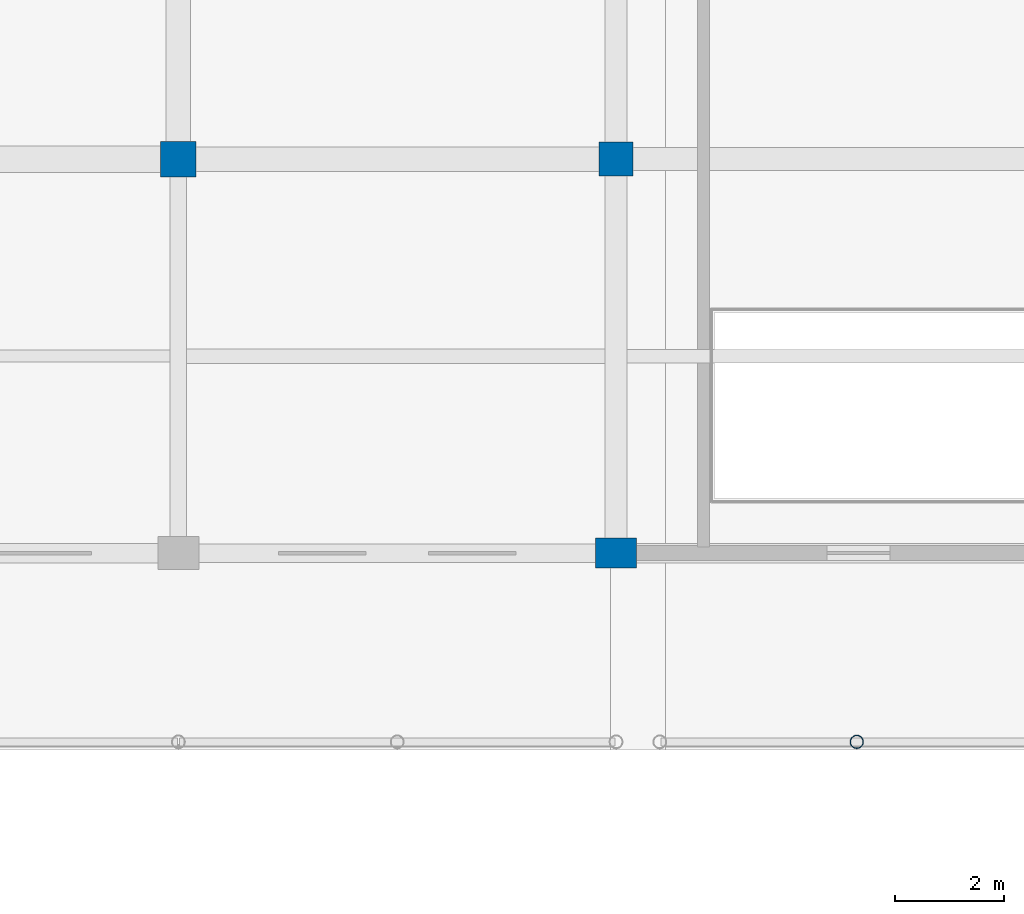
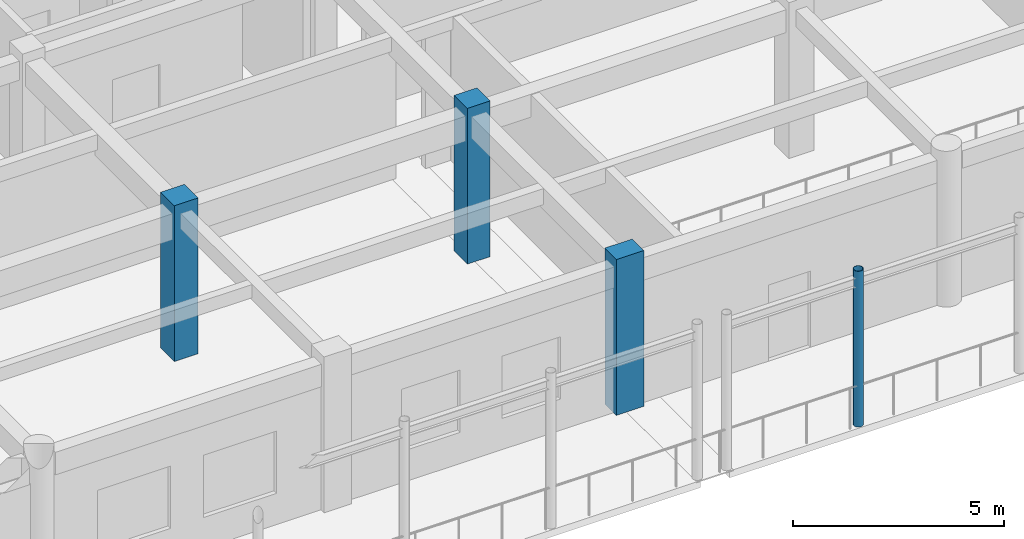
# One storey, part 25 of 160: 4 columns.
"""IFC4 building model written with IfcOpenShell, lengths in metres."""

from ifc_helpers import new_model, si_unit, direction, frame, origin, origin_2d, place, context, subcontext, project, spatial, rectangle, hollow_circle, extrude, material, material_profile, profile_set, type_object, element, save


model = new_model("IFC4")

# Units and contexts
model_context = context("Model", 3, precision=1e-05, world=origin(), true_north=direction((0.0, 1.0)))
body_context = subcontext(model_context, "Body", "Model", "MODEL_VIEW")
ifc_project = project(units=[si_unit("LENGTHUNIT", "METRE"), si_unit("AREAUNIT", "SQUARE_METRE"), si_unit("VOLUMEUNIT", "CUBIC_METRE"), si_unit("PLANEANGLEUNIT", "RADIAN"), si_unit("MASSUNIT", "GRAM", prefix="KILO")], contexts=[model_context])

# Site, building, storey
site_placement = place(None, origin())
site = spatial("IfcSite", under=ifc_project, at=site_placement, CompositionType="ELEMENT")
building_placement = place(site_placement, origin())
building = spatial("IfcBuilding", under=site, at=building_placement, Name="Kharva Crest Polytechnic", CompositionType="ELEMENT")
storey_placement = place(building_placement, frame((0.0, 0.0, 4.5)))
storey = spatial("IfcBuildingStorey", under=building, at=storey_placement, Name="L01", CompositionType="ELEMENT", Elevation=4.5)

# Columns
ifc_material_1 = material(Name="Concrete C40/50", Category="concrete")
ifc_material_profile_1 = material_profile(ifc_material_1, rectangle(XDim=0.75, YDim=0.550048828125, at=origin_2d()), Name="RECT 750 X 550")
ifc_profile_set_1 = profile_set([ifc_material_profile_1], Name="Concrete C40/50")
column_type_1 = type_object("IfcColumnType", Name="COL-EXT-750X550", PredefinedType="COLUMN", material=ifc_profile_set_1)
column_1_placement = place(storey_placement, frame((120.0, 100.39990234375, 0.0), z_axis=(0.0, 0.0, 1.0), x_axis=(1.0, 0.0, 0.0)))
element("IfcColumn", 1, at=column_1_placement, inside=storey, type_object=column_type_1, Name="L01 Column 16/P", PredefinedType="COLUMN", context=body_context, shape_type="SweptSolid", body=[
    extrude(rectangle(XDim=0.75, YDim=0.550048828125, at=origin_2d()), origin(), (0.0, 0.0, 1.0), 4.5),
])
ifc_material_profile_2 = material_profile(ifc_material_1, rectangle(XDim=0.6201171875, YDim=0.6201171875, at=origin_2d()), Name="RECT 620 X 620")
ifc_profile_set_2 = profile_set([ifc_material_profile_2], Name="Concrete C40/50")
column_type_2 = type_object("IfcColumnType", Name="COL-INT-620X620", PredefinedType="COLUMN", material=ifc_profile_set_2)
column_2_placement = place(storey_placement, frame((120.0, 107.60009765625, 0.0), z_axis=(0.0, 0.0, 1.0), x_axis=(1.0, 0.0, 0.0)))
element("IfcColumn", 2, at=column_2_placement, inside=storey, type_object=column_type_2, Name="L01 Column 16/Q", PredefinedType="COLUMN", context=body_context, shape_type="SweptSolid", body=[
    extrude(rectangle(XDim=0.6201171875, YDim=0.6201171875, at=origin_2d()), origin(), (0.0, 0.0, 1.0), 4.5),
])
ifc_material_profile_3 = material_profile(ifc_material_1, rectangle(XDim=0.64990234375, YDim=0.64990234375, at=origin_2d()), Name="RECT 650 X 650")
ifc_profile_set_3 = profile_set([ifc_material_profile_3], Name="Concrete C40/50")
column_type_3 = type_object("IfcColumnType", Name="COL-INT-650X650", PredefinedType="COLUMN", material=ifc_profile_set_3)
column_3_placement = place(storey_placement, frame((112.0, 107.60009765625, 0.0), z_axis=(0.0, 0.0, 1.0), x_axis=(1.0, 0.0, 0.0)))
element("IfcColumn", 3, at=column_3_placement, inside=storey, type_object=column_type_3, Name="L01 Column 15/Q", PredefinedType="COLUMN", context=body_context, shape_type="SweptSolid", body=[
    extrude(rectangle(XDim=0.64990234375, YDim=0.64990234375, at=origin_2d()), origin(), (0.0, 0.0, 1.0), 4.5),
])
ifc_material_2 = material(Name="Steel S355", Category="steel")
ifc_material_profile_4 = material_profile(ifc_material_2, hollow_circle(Radius=0.122314453125, WallThickness=0.010009765625, at=origin_2d()), Name="CHS 244.5X10.0")
ifc_profile_set_4 = profile_set([ifc_material_profile_4], Name="Steel S355")
column_type_4 = type_object("IfcColumnType", Name="COL-STL-CHS244", PredefinedType="COLUMN", material=ifc_profile_set_4)
column_4_placement = place(storey_placement, frame((124.39990234375, 96.949951171875, 0.0), z_axis=(0.0, 0.0, 1.0), x_axis=(1.0, 0.0, 0.0)))
element("IfcColumn", 4, at=column_4_placement, inside=storey, type_object=column_type_4, Name="L01 Colonnade Mid Column VNM09", PredefinedType="COLUMN", context=body_context, shape_type="SweptSolid", body=[
    extrude(hollow_circle(Radius=0.122314453125, WallThickness=0.010009765625, at=origin_2d()), origin(), (0.0, 0.0, 1.0), 4.5),
])

save(model, "model.ifc")
